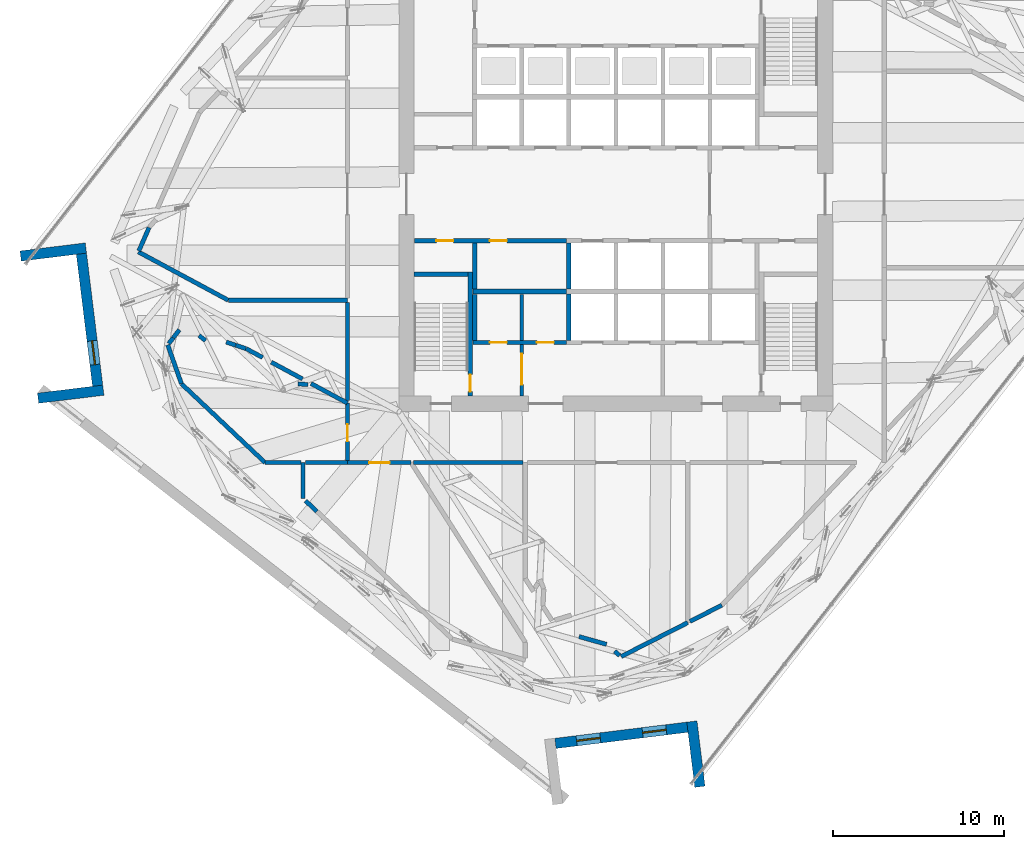
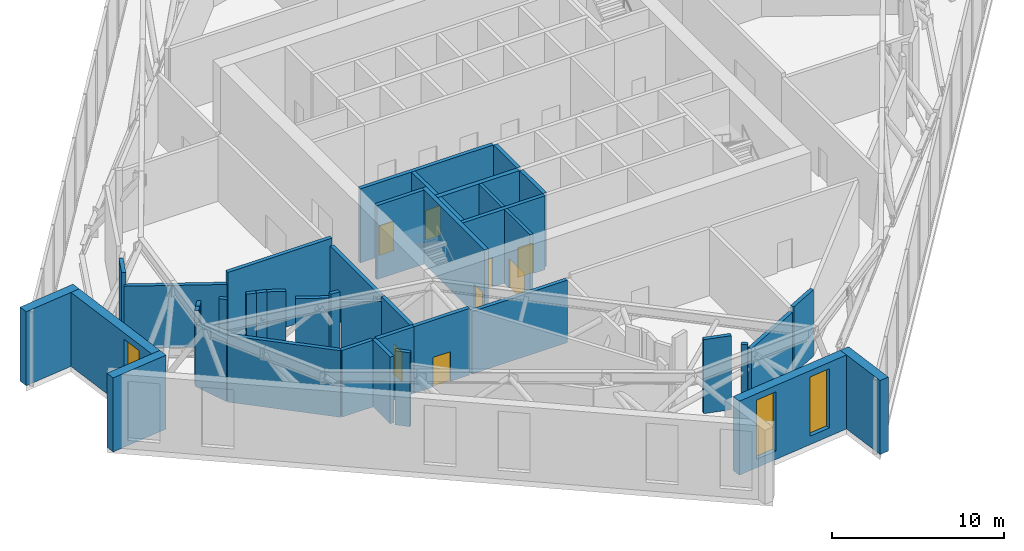
# One storey, part 12 of 23: 42 walls, 8 doors, 3 windows, 11 openings.
"""IFC4 building model written with IfcOpenShell, lengths in metres."""

from ifc_helpers import new_model, si_unit, direction, frame, frame_2d, origin, place, context, subcontext, project, spatial, rectangle, extrude, material, layer, layer_set, type_object, element, fill, save


model = new_model("IFC4")

# Units and contexts
model_context = context("Model", 3, precision=1e-05, world=origin(), true_north=direction((0.0, 1.0)))
body_context = subcontext(model_context, "Body", "Model", "MODEL_VIEW")
ifc_project = project(units=[si_unit("LENGTHUNIT", "METRE"), si_unit("AREAUNIT", "SQUARE_METRE"), si_unit("VOLUMEUNIT", "CUBIC_METRE"), si_unit("PLANEANGLEUNIT", "RADIAN"), si_unit("MASSUNIT", "GRAM", prefix="KILO")], contexts=[model_context])

# Site, building, storey
site_placement = place(None, origin())
site = spatial("IfcSite", under=ifc_project, at=site_placement, CompositionType="ELEMENT")
building_placement = place(site_placement, origin())
building = spatial("IfcBuilding", under=site, at=building_placement, Name="Dilmun Exchange Tower", CompositionType="ELEMENT")
storey_placement = place(building_placement, frame((0.0, 0.0, 237.300048828125)))
storey = spatial("IfcBuildingStorey", under=building, at=storey_placement, Name="L56", CompositionType="ELEMENT", Elevation=237.300048828125)

# Wall, opening, door
ifc_material_1 = material(Name="Concrete C40/50", Category="concrete")
ifc_layer_1 = layer(ifc_material_1, 0.199951171875)
ifc_layer_set_1 = layer_set([ifc_layer_1], Name="Concrete C40/50")
wall_type_1 = type_object("IfcWallType", Name="Core partition wall 200", PredefinedType="PARTITIONING", material=ifc_layer_set_1)
wall_1_placement = place(storey_placement, frame((-5.5, -11.794921875, 0.0), z_axis=(0.0, 0.0, 1.0), x_axis=(0.0, 1.0, 0.0)))
wall_1 = element("IfcWall", 1, at=wall_1_placement, inside=storey, type_object=wall_type_1, Name="L56 core partition wall 01", PredefinedType="PARTITIONING", context=body_context, shape_type="SweptSolid", body=[
    extrude(rectangle(XDim=2.989990234375, YDim=0.199951171875, at=frame_2d((1.4951171875, 0.0))), origin(), (0.0, 0.0, 1.0), 5.239990234375),
])
opening_1_placement = place(wall_1_placement, frame((0.657470703125, 0.0, 0.0)))
opening_1 = element("IfcOpeningElement", 2, at=opening_1_placement, cuts=wall_1, Name="Opening CD5", PredefinedType="OPENING", context=body_context, shape_type="SweptSolid", body=[
    extrude(rectangle(XDim=1.800048828125, YDim=2.10009765625, at=frame_2d((0.89990234375, 1.050048828125))), frame((0.0, 0.10986328125, 0.0), z_axis=(0.0, -1.0, 0.0), x_axis=(1.0, 0.0, 0.0)), (0.0, 0.0, 1.0), 0.219970703125),
])
ifc_material_2 = material(Name="Fire-rated steel door set", Category="steel")
door_type_1 = type_object("IfcDoorType", Name="Stair exit door 1800x2100", OperationType="SINGLE_SWING_LEFT", PredefinedType="DOOR", material=ifc_material_2)
door_1_placement = place(opening_1_placement, origin())
door_1 = element("IfcDoor", 3, at=door_1_placement, inside=storey, type_object=door_type_1, Name="L56 door Service lobby east", OperationType="SINGLE_SWING_LEFT", OverallHeight=2.10009765625, OverallWidth=1.800048828125, PredefinedType="DOOR", context=body_context, shape_type="SweptSolid", body=[
    extrude(rectangle(XDim=1.800048828125, YDim=2.10009765625, at=frame_2d((0.89990234375, 1.050048828125))), frame((0.0, 0.02490234375, 0.0), z_axis=(0.0, -1.0, 0.0), x_axis=(1.0, 0.0, 0.0)), (0.0, 0.0, 1.0), 0.050048828125),
])
fill(opening_1, door_1)

# Wall
wall_2_placement = place(storey_placement, frame((-5.5, -8.544921875, 0.0), z_axis=(0.0, 0.0, 1.0), x_axis=(0.0, 1.0, 0.0)))
element("IfcWall", 4, at=wall_2_placement, inside=storey, type_object=wall_type_1, Name="L56 core partition wall 05", PredefinedType="PARTITIONING", context=body_context, shape_type="SweptSolid", body=[
    extrude(rectangle(XDim=2.68994140625, YDim=0.199951171875, at=frame_2d((1.344970703125, 0.0))), origin(), (0.0, 0.0, 1.0), 5.239990234375),
])

# Wall, openings, doors
ifc_layer_2 = layer(ifc_material_1, 0.25)
ifc_layer_set_2 = layer_set([ifc_layer_2], Name="Concrete C40/50")
wall_type_2 = type_object("IfcWallType", Name="Core partition wall 250", PredefinedType="PARTITIONING", material=ifc_layer_set_2)
wall_3_placement = place(storey_placement, frame((-8.3701171875, -8.675048828125, 0.0), z_axis=(0.0, 0.0, 1.0), x_axis=(1.0, 0.0, 0.0)))
wall_3 = element("IfcWall", 5, at=wall_3_placement, inside=storey, type_object=wall_type_2, Name="L56 core partition wall 03", PredefinedType="PARTITIONING", context=body_context, shape_type="SweptSolid", body=[
    extrude(rectangle(XDim=5.490234375, YDim=0.25, at=frame_2d((2.7451171875, 0.0))), origin(), (0.0, 0.0, 1.0), 5.239990234375),
])
opening_2_placement = place(wall_3_placement, frame((0.9951171875, 0.0, 0.0)))
opening_2 = element("IfcOpeningElement", 6, at=opening_2_placement, cuts=wall_3, Name="Opening CD4", PredefinedType="OPENING", context=body_context, shape_type="SweptSolid", body=[
    extrude(rectangle(XDim=1.0, YDim=2.10009765625, at=frame_2d((0.5, 1.050048828125))), frame((0.0, 0.135009765625, 0.0), z_axis=(0.0, -1.0, 0.0), x_axis=(1.0, 0.0, 0.0)), (0.0, 0.0, 1.0), 0.27001953125),
])
opening_3_placement = place(wall_3_placement, frame((3.7451171875, 0.0, 0.0)))
opening_3 = element("IfcOpeningElement", 7, at=opening_3_placement, cuts=wall_3, Name="Opening CD4", PredefinedType="OPENING", context=body_context, shape_type="SweptSolid", body=[
    extrude(rectangle(XDim=1.0, YDim=2.10009765625, at=frame_2d((0.5, 1.050048828125))), frame((0.0, 0.135009765625, 0.0), z_axis=(0.0, -1.0, 0.0), x_axis=(1.0, 0.0, 0.0)), (0.0, 0.0, 1.0), 0.27001953125),
])
door_type_2 = type_object("IfcDoorType", Name="Core room door 1000x2100", OperationType="SINGLE_SWING_LEFT", PredefinedType="DOOR", material=ifc_material_2)
door_2_placement = place(opening_2_placement, origin())
door_2 = element("IfcDoor", 8, at=door_2_placement, inside=storey, type_object=door_type_2, Name="L56 door Male WC", OperationType="SINGLE_SWING_LEFT", OverallHeight=2.10009765625, OverallWidth=1.0, PredefinedType="DOOR", context=body_context, shape_type="SweptSolid", body=[
    extrude(rectangle(XDim=1.0, YDim=2.10009765625, at=frame_2d((0.5, 1.050048828125))), frame((0.0, 0.02490234375, 0.0), z_axis=(0.0, -1.0, 0.0), x_axis=(1.0, 0.0, 0.0)), (0.0, 0.0, 1.0), 0.050048828125),
])
fill(opening_2, door_2)
door_3_placement = place(opening_3_placement, origin())
door_3 = element("IfcDoor", 9, at=door_3_placement, inside=storey, type_object=door_type_2, Name="L56 door Female WC", OperationType="SINGLE_SWING_LEFT", OverallHeight=2.10009765625, OverallWidth=1.0, PredefinedType="DOOR", context=body_context, shape_type="SweptSolid", body=[
    extrude(rectangle(XDim=1.0, YDim=2.10009765625, at=frame_2d((0.5, 1.050048828125))), frame((0.0, 0.02490234375, 0.0), z_axis=(0.0, -1.0, 0.0), x_axis=(1.0, 0.0, 0.0)), (0.0, 0.0, 1.0), 0.050048828125),
])
fill(opening_3, door_3)

# Walls
for number, where, z_axis, x_axis, name in (
    (10, (-8.25, -8.544921875, 0.0), (0.0, 0.0, 1.0), (0.0, 1.0, 0.0), "L56 core partition wall 04"),
    (11, (-8.25, -5.544921875, 0.0), (0.0, 0.0, 1.0), (0.0, 1.0, 0.0), "L56 core partition wall 07"),
):
    element("IfcWall", number, at=place(storey_placement, frame(where, z_axis=z_axis, x_axis=x_axis)), inside=storey, type_object=wall_type_2, Name=name, PredefinedType="PARTITIONING", context=body_context, shape_type="SweptSolid", body=[
        extrude(rectangle(XDim=2.68994140625, YDim=0.25, at=frame_2d((1.344970703125, 0.0))), origin(), (0.0, 0.0, 1.0), 5.239990234375),
    ])

# Wall, openings, doors
wall_4_placement = place(storey_placement, frame((-11.794921875, -2.72509765625, 0.0), z_axis=(0.0, 0.0, 1.0), x_axis=(1.0, 0.0, 0.0)))
wall_4 = element("IfcWall", 12, at=wall_4_placement, inside=storey, type_object=wall_type_2, Name="L56 core partition wall 09", PredefinedType="PARTITIONING", context=body_context, shape_type="SweptSolid", body=[
    extrude(rectangle(XDim=8.9150390625, YDim=0.25, at=frame_2d((4.45751953125, 0.0))), origin(), (0.0, 0.0, 1.0), 5.239990234375),
])
opening_4_placement = place(wall_4_placement, frame((1.294921875, 0.0, 0.0)))
opening_4 = element("IfcOpeningElement", 13, at=opening_4_placement, cuts=wall_4, Name="Opening CD4", PredefinedType="OPENING", context=body_context, shape_type="SweptSolid", body=[
    extrude(rectangle(XDim=1.0, YDim=2.10009765625, at=frame_2d((0.5, 1.050048828125))), frame((0.0, 0.135009765625, 0.0), z_axis=(0.0, -1.0, 0.0), x_axis=(1.0, 0.0, 0.0)), (0.0, 0.0, 1.0), 0.27001953125),
])
opening_5_placement = place(wall_4_placement, frame((4.419921875, 0.0, 0.0)))
opening_5 = element("IfcOpeningElement", 14, at=opening_5_placement, cuts=wall_4, Name="Opening CD4", PredefinedType="OPENING", context=body_context, shape_type="SweptSolid", body=[
    extrude(rectangle(XDim=1.0, YDim=2.10009765625, at=frame_2d((0.5, 1.050048828125))), frame((0.0, 0.135009765625, 0.0), z_axis=(0.0, -1.0, 0.0), x_axis=(1.0, 0.0, 0.0)), (0.0, 0.0, 1.0), 0.27001953125),
])
door_4_placement = place(opening_4_placement, origin())
door_4 = element("IfcDoor", 15, at=door_4_placement, inside=storey, type_object=door_type_2, Name="L56 door Accessible WC", OperationType="SINGLE_SWING_LEFT", OverallHeight=2.10009765625, OverallWidth=1.0, PredefinedType="DOOR", context=body_context, shape_type="SweptSolid", body=[
    extrude(rectangle(XDim=1.0, YDim=2.10009765625, at=frame_2d((0.5, 1.050048828125))), frame((0.0, 0.02490234375, 0.0), z_axis=(0.0, -1.0, 0.0), x_axis=(1.0, 0.0, 0.0)), (0.0, 0.0, 1.0), 0.050048828125),
])
fill(opening_4, door_4)
door_5_placement = place(opening_5_placement, origin())
door_5 = element("IfcDoor", 16, at=door_5_placement, inside=storey, type_object=door_type_2, Name="L56 door Switch room", OperationType="SINGLE_SWING_LEFT", OverallHeight=2.10009765625, OverallWidth=1.0, PredefinedType="DOOR", context=body_context, shape_type="SweptSolid", body=[
    extrude(rectangle(XDim=1.0, YDim=2.10009765625, at=frame_2d((0.5, 1.050048828125))), frame((0.0, 0.02490234375, 0.0), z_axis=(0.0, -1.0, 0.0), x_axis=(1.0, 0.0, 0.0)), (0.0, 0.0, 1.0), 0.050048828125),
])
fill(opening_5, door_5)

# Walls
ifc_layer_3 = layer(ifc_material_1, 0.300048828125)
ifc_layer_set_3 = layer_set([ifc_layer_3], Name="Concrete C40/50")
wall_type_3 = type_object("IfcWallType", Name="Core partition wall 300", PredefinedType="PARTITIONING", material=ifc_layer_set_3)
wall_5_placement = place(storey_placement, frame((-8.35009765625, -5.699951171875, 0.0), z_axis=(0.0, 0.0, 1.0), x_axis=(1.0, 0.0, 0.0)))
element("IfcWall", 17, at=wall_5_placement, inside=storey, type_object=wall_type_3, Name="L56 core partition wall 06", PredefinedType="PARTITIONING", context=body_context, shape_type="SweptSolid", body=[
    extrude(rectangle(XDim=5.47021484375, YDim=0.300048828125, at=frame_2d((2.735107421875, 0.0))), origin(), (0.0, 0.0, 1.0), 5.239990234375),
])
ifc_layer_4 = layer(ifc_material_1, 0.25)
ifc_layer_set_4 = layer_set([ifc_layer_4], Name="Concrete C40/50")
wall_type_4 = type_object("IfcWallType", Name="Lift shaft wall 250", PredefinedType="SOLIDWALL", material=ifc_layer_set_4)
for number, where, z_axis, x_axis, name in (
    (18, (-2.75, -5.550048828125, 0.0), (0.0, 0.0, 1.0), (0.0, 1.0, 0.0), "L56 lift shaft divider S12"),
    (19, (-2.75, -8.550048828125, 0.0), (0.0, 0.0, 1.0), (0.0, 1.0, 0.0), "L56 lift shaft divider S22"),
):
    element("IfcWall", number, at=place(storey_placement, frame(where, z_axis=z_axis, x_axis=x_axis)), inside=storey, type_object=wall_type_4, Name=name, PredefinedType="SOLIDWALL", context=body_context, shape_type="SweptSolid", body=[
        extrude(rectangle(XDim=2.699951171875, YDim=0.25, at=frame_2d((1.35009765625, 0.0))), origin(), (0.0, 0.0, 1.0), 5.239990234375),
    ])
ifc_material_3 = material(Name="Concrete C32/40", Category="concrete")
ifc_layer_5 = layer(ifc_material_3, 0.25)
ifc_layer_set_5 = layer_set([ifc_layer_5], Name="Concrete C32/40")
wall_type_5 = type_object("IfcWallType", Name="Plant room wall 250", PredefinedType="PARTITIONING", material=ifc_layer_set_5)
wall_6_placement = place(storey_placement, frame((-0.072998046875, -26.73388671875, 0.0), z_axis=(0.0, 0.0, 1.0), x_axis=(0.757056145417, -0.653349824127, 0.0)))
element("IfcWall", 20, at=wall_6_placement, inside=storey, type_object=wall_type_5, Name="L56 plant room wall 02", PredefinedType="PARTITIONING", context=body_context, shape_type="SweptSolid", body=[
    extrude(rectangle(XDim=0.376708984375, YDim=0.25, at=frame_2d((0.1884765625, 0.0))), origin(), (0.0, 0.0, 1.0), 4.719970703125),
])
wall_7_placement = place(storey_placement, frame((-2.154052734375, -25.877685546875, 0.0), z_axis=(0.0, 0.0, 1.0), x_axis=(0.962293576078, -0.272013002336, 0.0)))
element("IfcWall", 21, at=wall_7_placement, inside=storey, type_object=wall_type_5, Name="L56 plant room wall 03", PredefinedType="PARTITIONING", context=body_context, shape_type="SweptSolid", body=[
    extrude(rectangle(XDim=1.667724609375, YDim=0.25, at=frame_2d((0.833984375, 0.0))), origin(), (0.0, 0.0, 1.0), 5.239990234375),
])
wall_8_placement = place(storey_placement, frame((0.307373046875, -27.0458984375, 0.0), z_axis=(0.0, 0.0, 1.0), x_axis=(0.890732328473, 0.454528237861, 0.0)))
element("IfcWall", 22, at=wall_8_placement, inside=storey, type_object=wall_type_5, Name="L56 plant room wall 06", PredefinedType="PARTITIONING", context=body_context, shape_type="SweptSolid", body=[
    extrude(rectangle(XDim=4.3701171875, YDim=0.25, at=frame_2d((2.18505859375, 0.0))), origin(), (0.0, 0.0, 1.0), 4.419921875),
])
wall_9_placement = place(storey_placement, frame((4.330078125, -24.9931640625, 0.0), z_axis=(0.0, 0.0, 1.0), x_axis=(0.890721506587, 0.45454944473, 0.0)))
element("IfcWall", 23, at=wall_9_placement, inside=storey, type_object=wall_type_5, Name="L56 plant room wall 11", PredefinedType="PARTITIONING", context=body_context, shape_type="SweptSolid", body=[
    extrude(rectangle(XDim=2.09912109375, YDim=0.25, at=frame_2d((1.049560546875, 0.0))), origin(), (0.0, 0.0, 1.0), 4.719970703125),
])
wall_10_placement = place(storey_placement, frame((-18.15869140625, -17.92626953125, 0.0), z_axis=(0.0, 0.0, 1.0), x_axis=(0.72767336617, -0.685923809302, 0.0)))
element("IfcWall", 24, at=wall_10_placement, inside=storey, type_object=wall_type_5, Name="L56 plant room wall 16", PredefinedType="PARTITIONING", context=body_context, shape_type="SweptSolid", body=[
    extrude(rectangle(XDim=0.912353515625, YDim=0.25, at=frame_2d((0.4560546875, 0.0))), origin(), (0.0, 0.0, 1.0), 5.239990234375),
])
wall_11_placement = place(storey_placement, frame((-18.300048828125, -17.79296875, 0.0), z_axis=(0.0, 0.0, 1.0), x_axis=(0.0, 1.0, 0.0)))
element("IfcWall", 25, at=wall_11_placement, inside=storey, type_object=wall_type_5, Name="L56 plant room wall 17", PredefinedType="PARTITIONING", context=body_context, shape_type="SweptSolid", body=[
    extrude(rectangle(XDim=2.093017578125, YDim=0.25, at=frame_2d((1.04638671875, 0.0))), origin(), (0.0, 0.0, 1.0), 4.719970703125),
])
wall_12_placement = place(storey_placement, frame((-25.412841796875, -11.08837890625, 0.0), z_axis=(0.0, 0.0, 1.0), x_axis=(0.727678472321, -0.685918392318, 0.0)))
element("IfcWall", 26, at=wall_12_placement, inside=storey, type_object=wall_type_5, Name="L56 plant room wall 18", PredefinedType="PARTITIONING", context=body_context, shape_type="SweptSolid", body=[
    extrude(rectangle(XDim=6.72314453125, YDim=0.25, at=frame_2d((3.361572265625, 0.0))), origin(), (0.0, 0.0, 1.0), 4.719970703125),
])
wall_13_placement = place(storey_placement, frame((-20.513671875, -15.699951171875, 0.0), z_axis=(0.0, 0.0, 1.0), x_axis=(1.0, 0.0, 0.0)))
element("IfcWall", 27, at=wall_13_placement, inside=storey, type_object=wall_type_5, Name="L56 plant room wall 19", PredefinedType="PARTITIONING", context=body_context, shape_type="SweptSolid", body=[
    extrude(rectangle(XDim=2.083740234375, YDim=0.25, at=frame_2d((1.0419921875, 0.0))), origin(), (0.0, 0.0, 1.0), 4.719970703125),
])
wall_14_placement = place(storey_placement, frame((-18.169921875, -15.699951171875, 0.0), z_axis=(0.0, 0.0, 1.0), x_axis=(1.0, 0.0, 0.0)))
element("IfcWall", 28, at=wall_14_placement, inside=storey, type_object=wall_type_5, Name="L56 plant room wall 20", PredefinedType="PARTITIONING", context=body_context, shape_type="SweptSolid", body=[
    extrude(rectangle(XDim=2.469970703125, YDim=0.25, at=frame_2d((1.23486328125, 0.0))), origin(), (0.0, 0.0, 1.0), 4.719970703125),
])

# Wall, opening, door
wall_15_placement = place(storey_placement, frame((-15.695068359375, -15.699951171875, 0.0), z_axis=(0.0, 0.0, 1.0), x_axis=(1.0, 0.0, 0.0)))
wall_15 = element("IfcWall", 29, at=wall_15_placement, inside=storey, type_object=wall_type_5, Name="L56 plant room wall 21", PredefinedType="PARTITIONING", context=body_context, shape_type="SweptSolid", body=[
    extrude(rectangle(XDim=3.71630859375, YDim=0.25, at=frame_2d((1.858154296875, 0.0))), origin(), (0.0, 0.0, 1.0), 4.719970703125),
])
opening_6_placement = place(wall_15_placement, frame((1.25732421875, 0.0, 0.0)))
opening_6 = element("IfcOpeningElement", 30, at=opening_6_placement, cuts=wall_15, Name="Opening PD2", PredefinedType="OPENING", context=body_context, shape_type="SweptSolid", body=[
    extrude(rectangle(XDim=1.199951171875, YDim=2.10009765625, at=frame_2d((0.60009765625, 1.050048828125))), frame((0.0, 0.135009765625, 0.0), z_axis=(0.0, -1.0, 0.0), x_axis=(1.0, 0.0, 0.0)), (0.0, 0.0, 1.0), 0.27001953125),
])
door_type_3 = type_object("IfcDoorType", Name="Plant room door 1200x2100", OperationType="SINGLE_SWING_LEFT", PredefinedType="DOOR", material=ifc_material_2)
door_6_placement = place(opening_6_placement, origin())
door_6 = element("IfcDoor", 31, at=door_6_placement, inside=storey, type_object=door_type_3, Name="L56 door Mechanical pump room", OperationType="SINGLE_SWING_RIGHT", OverallHeight=2.10009765625, OverallWidth=1.199951171875, PredefinedType="DOOR", context=body_context, shape_type="SweptSolid", body=[
    extrude(rectangle(XDim=1.199951171875, YDim=2.10009765625, at=frame_2d((0.60009765625, 1.050048828125))), frame((0.0, 0.02490234375, 0.0), z_axis=(0.0, -1.0, 0.0), x_axis=(1.0, 0.0, 0.0)), (0.0, 0.0, 1.0), 0.050048828125),
])
fill(opening_6, door_6)

# Wall
wall_16_placement = place(storey_placement, frame((-11.82470703125, -15.699951171875, 0.0), z_axis=(0.0, 0.0, 1.0), x_axis=(1.0, 0.0, 0.0)))
element("IfcWall", 32, at=wall_16_placement, inside=storey, type_object=wall_type_5, Name="L56 plant room wall 23", PredefinedType="PARTITIONING", context=body_context, shape_type="SweptSolid", body=[
    extrude(rectangle(XDim=6.394775390625, YDim=0.25, at=frame_2d((3.197265625, 0.0))), origin(), (0.0, 0.0, 1.0), 4.419921875),
])

# Wall, opening, door
wall_17_placement = place(storey_placement, frame((-15.699951171875, -15.570068359375, 0.0), z_axis=(0.0, 0.0, 1.0), x_axis=(0.0, 1.0, 0.0)))
wall_17 = element("IfcWall", 33, at=wall_17_placement, inside=storey, type_object=wall_type_5, Name="L56 plant room wall 28", PredefinedType="PARTITIONING", context=body_context, shape_type="SweptSolid", body=[
    extrude(rectangle(XDim=3.34765625, YDim=0.25, at=frame_2d((1.673828125, 0.0))), origin(), (0.0, 0.0, 1.0), 4.719970703125),
])
opening_7_placement = place(wall_17_placement, frame((1.110107421875, 0.0, 0.0)))
opening_7 = element("IfcOpeningElement", 34, at=opening_7_placement, cuts=wall_17, Name="Opening PD1", PredefinedType="OPENING", context=body_context, shape_type="SweptSolid", body=[
    extrude(rectangle(XDim=1.0, YDim=2.10009765625, at=frame_2d((0.5, 1.050048828125))), frame((0.0, 0.135009765625, 0.0), z_axis=(0.0, -1.0, 0.0), x_axis=(1.0, 0.0, 0.0)), (0.0, 0.0, 1.0), 0.27001953125),
])
door_type_4 = type_object("IfcDoorType", Name="Plant room door 1000x2100", OperationType="SINGLE_SWING_LEFT", PredefinedType="DOOR", material=ifc_material_2)
door_7_placement = place(opening_7_placement, origin())
door_7 = element("IfcDoor", 35, at=door_7_placement, inside=storey, type_object=door_type_4, Name="L56 door Mechanical valve room", OperationType="SINGLE_SWING_LEFT", OverallHeight=2.10009765625, OverallWidth=1.0, PredefinedType="DOOR", context=body_context, shape_type="SweptSolid", body=[
    extrude(rectangle(XDim=1.0, YDim=2.10009765625, at=frame_2d((0.5, 1.050048828125))), frame((0.0, 0.02490234375, 0.0), z_axis=(0.0, -1.0, 0.0), x_axis=(1.0, 0.0, 0.0)), (0.0, 0.0, 1.0), 0.050048828125),
])
fill(opening_7, door_7)

# Walls
wall_18_placement = place(storey_placement, frame((-18.59326171875, -11.093994140625, 0.0), z_axis=(0.0, 0.0, 1.0), x_axis=(0.997234429152, -0.074320207983, 0.0)))
element("IfcWall", 36, at=wall_18_placement, inside=storey, type_object=wall_type_5, Name="L56 plant room wall 29", PredefinedType="PARTITIONING", context=body_context, shape_type="SweptSolid", body=[
    extrude(rectangle(XDim=0.58154296875, YDim=0.25, at=frame_2d((0.290771484375, 0.0))), origin(), (0.0, 0.0, 1.0), 5.239990234375),
])
wall_19_placement = place(storey_placement, frame((-26.216796875, -8.8154296875, 0.0), z_axis=(0.0, 0.0, 1.0), x_axis=(0.333409345275, -0.942782163855, 0.0)))
element("IfcWall", 37, at=wall_19_placement, inside=storey, type_object=wall_type_5, Name="L56 plant room wall 30", PredefinedType="PARTITIONING", context=body_context, shape_type="SweptSolid", body=[
    extrude(rectangle(XDim=2.405517578125, YDim=0.25, at=frame_2d((1.20263671875, 0.0))), origin(), (0.0, 0.0, 1.0), 4.419921875),
])
wall_20_placement = place(storey_placement, frame((-17.8330078125, -11.07568359375, 0.0), z_axis=(0.0, 0.0, 1.0), x_axis=(0.880812256997, -0.473465698783, 0.0)))
element("IfcWall", 38, at=wall_20_placement, inside=storey, type_object=wall_type_5, Name="L56 plant room wall 31", PredefinedType="PARTITIONING", context=body_context, shape_type="SweptSolid", body=[
    extrude(rectangle(XDim=2.4111328125, YDim=0.25, at=frame_2d((1.20556640625, 0.0))), origin(), (0.0, 0.0, 1.0), 4.419921875),
])
wall_21_placement = place(storey_placement, frame((-20.156494140625, -9.826416015625, 0.0), z_axis=(0.0, 0.0, 1.0), x_axis=(0.880780830304, -0.473524158802, 0.0)))
element("IfcWall", 39, at=wall_21_placement, inside=storey, type_object=wall_type_5, Name="L56 plant room wall 32", PredefinedType="PARTITIONING", context=body_context, shape_type="SweptSolid", body=[
    extrude(rectangle(XDim=2.07421875, YDim=0.25, at=frame_2d((1.037109375, 0.0))), origin(), (0.0, 0.0, 1.0), 4.719970703125),
])
wall_22_placement = place(storey_placement, frame((-21.634033203125, -9.031982421875, 0.0), z_axis=(0.0, 0.0, 1.0), x_axis=(0.880812831363, -0.473464630259, 0.0)))
element("IfcWall", 40, at=wall_22_placement, inside=storey, type_object=wall_type_5, Name="L56 plant room wall 33", PredefinedType="PARTITIONING", context=body_context, shape_type="SweptSolid", body=[
    extrude(rectangle(XDim=1.100341796875, YDim=0.25, at=frame_2d((0.55029296875, 0.0))), origin(), (0.0, 0.0, 1.0), 5.239990234375),
])
wall_23_placement = place(storey_placement, frame((-22.2294921875, -8.834716796875, 0.0), z_axis=(0.0, 0.0, 1.0), x_axis=(0.949192171176, -0.314697032362, 0.0)))
element("IfcWall", 41, at=wall_23_placement, inside=storey, type_object=wall_type_5, Name="L56 plant room wall 34", PredefinedType="PARTITIONING", context=body_context, shape_type="SweptSolid", body=[
    extrude(rectangle(XDim=0.6220703125, YDim=0.25, at=frame_2d((0.31103515625, 0.0))), origin(), (0.0, 0.0, 1.0), 5.239990234375),
])
wall_24_placement = place(storey_placement, frame((-26.156005859375, -8.737060546875, 0.0), z_axis=(0.0, 0.0, 1.0), x_axis=(0.61261688372, 0.790380005934, 0.0)))
element("IfcWall", 42, at=wall_24_placement, inside=storey, type_object=wall_type_5, Name="L56 plant room wall 35", PredefinedType="PARTITIONING", context=body_context, shape_type="SweptSolid", body=[
    extrude(rectangle(XDim=0.421630859375, YDim=0.25, at=frame_2d((0.2109375, 0.0))), origin(), (0.0, 0.0, 1.0), 5.239990234375),
])
wall_25_placement = place(storey_placement, frame((-22.794189453125, -8.647705078125, 0.0), z_axis=(0.0, 0.0, 1.0), x_axis=(0.949269442188, -0.314463870942, 0.0)))
element("IfcWall", 43, at=wall_25_placement, inside=storey, type_object=wall_type_5, Name="L56 plant room wall 36", PredefinedType="PARTITIONING", context=body_context, shape_type="SweptSolid", body=[
    extrude(rectangle(XDim=0.58154296875, YDim=0.25, at=frame_2d((0.290771484375, 0.0))), origin(), (0.0, 0.0, 1.0), 5.239990234375),
])
wall_26_placement = place(storey_placement, frame((-25.889404296875, -8.392822265625, 0.0), z_axis=(0.0, 0.0, 1.0), x_axis=(0.612689720082, 0.790323545712, 0.0)))
element("IfcWall", 44, at=wall_26_placement, inside=storey, type_object=wall_type_5, Name="L56 plant room wall 37", PredefinedType="PARTITIONING", context=body_context, shape_type="SweptSolid", body=[
    extrude(rectangle(XDim=0.581298828125, YDim=0.25, at=frame_2d((0.29052734375, 0.0))), origin(), (0.0, 0.0, 1.0), 5.239990234375),
])
wall_27_placement = place(storey_placement, frame((-24.38525390625, -8.266357421875, 0.0), z_axis=(0.0, 0.0, 1.0), x_axis=(0.783912744573, -0.620871008258, 0.0)))
element("IfcWall", 45, at=wall_27_placement, inside=storey, type_object=wall_type_5, Name="L56 plant room wall 38", PredefinedType="PARTITIONING", context=body_context, shape_type="SweptSolid", body=[
    extrude(rectangle(XDim=0.483642578125, YDim=0.25, at=frame_2d((0.24169921875, 0.0))), origin(), (0.0, 0.0, 1.0), 5.239990234375),
])
wall_28_placement = place(storey_placement, frame((-27.930908203125, -3.375732421875, 0.0), z_axis=(0.0, 0.0, 1.0), x_axis=(0.880770617751, -0.473543154218, 0.0)))
element("IfcWall", 46, at=wall_28_placement, inside=storey, type_object=wall_type_5, Name="L56 plant room wall 41", PredefinedType="PARTITIONING", context=body_context, shape_type="SweptSolid", body=[
    extrude(rectangle(XDim=5.964111328125, YDim=0.25, at=frame_2d((2.98193359375, 0.0))), origin(), (0.0, 0.0, 1.0), 4.406005859375),
])
wall_29_placement = place(storey_placement, frame((-22.67236328125, -6.199951171875, 0.0), z_axis=(0.0, 0.0, 1.0), x_axis=(1.0, 0.0, 0.0)))
element("IfcWall", 47, at=wall_29_placement, inside=storey, type_object=wall_type_5, Name="L56 plant room wall 42", PredefinedType="PARTITIONING", context=body_context, shape_type="SweptSolid", body=[
    extrude(rectangle(XDim=6.972412109375, YDim=0.25, at=frame_2d((3.486328125, 0.0))), origin(), (0.0, 0.0, 1.0), 5.239990234375),
])
wall_30_placement = place(storey_placement, frame((-15.699951171875, -12.07470703125, 0.0), z_axis=(0.0, 0.0, 1.0), x_axis=(0.0, 1.0, 0.0)))
element("IfcWall", 48, at=wall_30_placement, inside=storey, type_object=wall_type_5, Name="L56 plant room wall 43", PredefinedType="PARTITIONING", context=body_context, shape_type="SweptSolid", body=[
    extrude(rectangle(XDim=5.74462890625, YDim=0.25, at=frame_2d((2.872314453125, 0.0))), origin(), (0.0, 0.0, 1.0), 4.719970703125),
])
wall_31_placement = place(storey_placement, frame((-27.906005859375, -3.318603515625, 0.0), z_axis=(0.0, 0.0, 1.0), x_axis=(0.401154480985, 0.91601041609, 0.0)))
element("IfcWall", 49, at=wall_31_placement, inside=storey, type_object=wall_type_5, Name="L56 plant room wall 48", PredefinedType="PARTITIONING", context=body_context, shape_type="SweptSolid", body=[
    extrude(rectangle(XDim=1.488037109375, YDim=0.25, at=frame_2d((0.744140625, 0.0))), origin(), (0.0, 0.0, 1.0), 5.239990234375),
])
ifc_material_4 = material(Name="Precast concrete C50/60", Category="concrete")
ifc_layer_6 = layer(ifc_material_4, 0.60009765625)
ifc_layer_set_6 = layer_set([ifc_layer_6], Name="Precast concrete C50/60")
wall_type_6 = type_object("IfcWallType", Name="Precast stone-clad wall 600", PredefinedType="STANDARD", material=ifc_layer_set_6)
wall_32_placement = place(storey_placement, frame((-34.820556640625, -3.616943359375, 0.0), z_axis=(0.0, 0.0, 1.0), x_axis=(0.992546957467, 0.1218627803, 0.0)))
element("IfcWall", 50, at=wall_32_placement, inside=storey, type_object=wall_type_6, Name="Facade wall L56-04", PredefinedType="STANDARD", context=body_context, shape_type="SweptSolid", body=[
    extrude(rectangle(XDim=3.846435546875, YDim=0.60009765625, at=frame_2d((1.92333984375, 0.0))), origin(), (0.0, 0.0, 1.0), 5.239990234375),
])

# Wall, opening, window
wall_33_placement = place(storey_placement, frame((-31.263916015625, -3.482421875, 0.0), z_axis=(0.0, 0.0, 1.0), x_axis=(0.121878824437, -0.992544987471, 0.0)))
wall_33 = element("IfcWall", 51, at=wall_33_placement, inside=storey, type_object=wall_type_6, Name="Facade wall L56-05", PredefinedType="STANDARD", context=body_context, shape_type="SweptSolid", body=[
    extrude(rectangle(XDim=7.7783203125, YDim=0.60009765625, at=frame_2d((3.88916015625, 0.0))), origin(), (0.0, 0.0, 1.0), 5.239990234375),
])
opening_8_placement = place(wall_33_placement, frame((5.133544921875, 0.0, 0.60009765625)))
opening_8 = element("IfcOpeningElement", 52, at=opening_8_placement, cuts=wall_33, Name="Opening LV140-419", PredefinedType="OPENING", context=body_context, shape_type="SweptSolid", body=[
    extrude(rectangle(XDim=1.39990234375, YDim=4.18994140625, at=frame_2d((0.699951171875, 2.094970703125))), frame((0.0, 0.31005859375, 0.0), z_axis=(0.0, -1.0, 0.0), x_axis=(1.0, 0.0, 0.0)), (0.0, 0.0, 1.0), 0.6201171875),
])
ifc_material_5 = material(Name="Anodised aluminium louvre blades with sand trap", Category="aluminium")
window_type = type_object("IfcWindowType", Name="Plant louvre 1400 x 4190", PartitioningType="SINGLE_PANEL", PredefinedType="USERDEFINED", material=ifc_material_5)
window_1_placement = place(opening_8_placement, origin())
window_1 = element("IfcWindow", 53, at=window_1_placement, inside=storey, type_object=window_type, Name="Plant louvre 6.2", ObjectType="LOUVRE", OverallHeight=4.18994140625, OverallWidth=1.39990234375, PartitioningType="SINGLE_PANEL", PredefinedType="USERDEFINED", context=body_context, shape_type="SweptSolid", body=[
    extrude(rectangle(XDim=1.39990234375, YDim=4.18994140625, at=frame_2d((0.699951171875, 2.094970703125))), frame((0.0, 0.030029296875, 0.0), z_axis=(0.0, -1.0, 0.0), x_axis=(1.0, 0.0, 0.0)), (0.0, 0.0, 1.0), 0.06005859375),
])
fill(opening_8, window_1)

# Wall
wall_34_placement = place(storey_placement, frame((-29.981689453125, -11.4638671875, 0.0), z_axis=(0.0, 0.0, 1.0), x_axis=(-0.992546957467, -0.1218627803, 0.0)))
element("IfcWall", 54, at=wall_34_placement, inside=storey, type_object=wall_type_6, Name="Facade wall L56-06", PredefinedType="STANDARD", context=body_context, shape_type="SweptSolid", body=[
    extrude(rectangle(XDim=3.846435546875, YDim=0.60009765625, at=frame_2d((1.92333984375, 0.0))), origin(), (0.0, 0.0, 1.0), 5.239990234375),
])

# Wall, openings, windows
wall_35_placement = place(storey_placement, frame((-3.535888671875, -32.125732421875, 0.0), z_axis=(0.0, 0.0, 1.0), x_axis=(0.992544987471, 0.121878824437, 0.0)))
wall_35 = element("IfcWall", 55, at=wall_35_placement, inside=storey, type_object=wall_type_6, Name="Facade wall L56-09", PredefinedType="STANDARD", context=body_context, shape_type="SweptSolid", body=[
    extrude(rectangle(XDim=7.7783203125, YDim=0.60009765625, at=frame_2d((3.88916015625, 0.0))), origin(), (0.0, 0.0, 1.0), 5.239990234375),
])
opening_9_placement = place(wall_35_placement, frame((1.244384765625, 0.0, 0.60009765625)))
opening_9 = element("IfcOpeningElement", 56, at=opening_9_placement, cuts=wall_35, Name="Opening LV140-419", PredefinedType="OPENING", context=body_context, shape_type="SweptSolid", body=[
    extrude(rectangle(XDim=1.39990234375, YDim=4.18994140625, at=frame_2d((0.699951171875, 2.094970703125))), frame((0.0, 0.31005859375, 0.0), z_axis=(0.0, -1.0, 0.0), x_axis=(1.0, 0.0, 0.0)), (0.0, 0.0, 1.0), 0.6201171875),
])
opening_10_placement = place(wall_35_placement, frame((5.133544921875, 0.0, 0.60009765625)))
opening_10 = element("IfcOpeningElement", 57, at=opening_10_placement, cuts=wall_35, Name="Opening LV140-419", PredefinedType="OPENING", context=body_context, shape_type="SweptSolid", body=[
    extrude(rectangle(XDim=1.39990234375, YDim=4.18994140625, at=frame_2d((0.699951171875, 2.094970703125))), frame((0.0, 0.31005859375, 0.0), z_axis=(0.0, -1.0, 0.0), x_axis=(1.0, 0.0, 0.0)), (0.0, 0.0, 1.0), 0.6201171875),
])
window_2_placement = place(opening_9_placement, origin())
window_2 = element("IfcWindow", 58, at=window_2_placement, inside=storey, type_object=window_type, Name="Plant louvre 10.1", ObjectType="LOUVRE", OverallHeight=4.18994140625, OverallWidth=1.39990234375, PartitioningType="SINGLE_PANEL", PredefinedType="USERDEFINED", context=body_context, shape_type="SweptSolid", body=[
    extrude(rectangle(XDim=1.39990234375, YDim=4.18994140625, at=frame_2d((0.699951171875, 2.094970703125))), frame((0.0, 0.030029296875, 0.0), z_axis=(0.0, -1.0, 0.0), x_axis=(1.0, 0.0, 0.0)), (0.0, 0.0, 1.0), 0.06005859375),
])
fill(opening_9, window_2)
window_3_placement = place(opening_10_placement, origin())
window_3 = element("IfcWindow", 59, at=window_3_placement, inside=storey, type_object=window_type, Name="Plant louvre 10.2", ObjectType="LOUVRE", OverallHeight=4.18994140625, OverallWidth=1.39990234375, PartitioningType="SINGLE_PANEL", PredefinedType="USERDEFINED", context=body_context, shape_type="SweptSolid", body=[
    extrude(rectangle(XDim=1.39990234375, YDim=4.18994140625, at=frame_2d((0.699951171875, 2.094970703125))), frame((0.0, 0.030029296875, 0.0), z_axis=(0.0, -1.0, 0.0), x_axis=(1.0, 0.0, 0.0)), (0.0, 0.0, 1.0), 0.06005859375),
])
fill(opening_10, window_3)

# Walls
wall_36_placement = place(storey_placement, frame((4.445556640625, -30.843505859375, 0.0), z_axis=(0.0, 0.0, 1.0), x_axis=(0.121870457788, -0.992546014812, 0.0)))
element("IfcWall", 60, at=wall_36_placement, inside=storey, type_object=wall_type_6, Name="Facade wall L56-10", PredefinedType="STANDARD", context=body_context, shape_type="SweptSolid", body=[
    extrude(rectangle(XDim=3.84619140625, YDim=0.60009765625, at=frame_2d((1.923095703125, 0.0))), origin(), (0.0, 0.0, 1.0), 5.239990234375),
])
ifc_layer_7 = layer(ifc_material_1, 0.25)
ifc_layer_set_7 = layer_set([ifc_layer_7], Name="Concrete C40/50")
wall_type_7 = type_object("IfcWallType", Name="Stair end wall 250", PredefinedType="SOLIDWALL", material=ifc_layer_set_7)
wall_37_placement = place(storey_placement, frame((-8.64990234375, -4.675048828125, 0.0), z_axis=(0.0, 0.0, 1.0), x_axis=(-1.0, 0.0, 0.0)))
element("IfcWall", 61, at=wall_37_placement, inside=storey, type_object=wall_type_7, Name="L56 ST2 far wall", PredefinedType="SOLIDWALL", context=body_context, shape_type="SweptSolid", body=[
    extrude(rectangle(XDim=3.150146484375, YDim=0.25, at=frame_2d((1.5751953125, 0.0))), origin(), (0.0, 0.0, 1.0), 5.239990234375),
])

# Wall, opening, door
ifc_layer_8 = layer(ifc_material_1, 0.27490234375)
ifc_layer_set_8 = layer_set([ifc_layer_8], Name="Concrete C40/50")
wall_type_8 = type_object("IfcWallType", Name="Stair wall 275", PredefinedType="SOLIDWALL", material=ifc_layer_set_8)
wall_38_placement = place(storey_placement, frame((-8.512451171875, -4.550048828125, 0.0), z_axis=(0.0, 0.0, 1.0), x_axis=(0.0, -1.0, 0.0)))
wall_38 = element("IfcWall", 62, at=wall_38_placement, inside=storey, type_object=wall_type_8, Name="L56 ST2 wall to lift block", PredefinedType="SOLIDWALL", context=body_context, shape_type="SweptSolid", body=[
    extrude(rectangle(XDim=7.25, YDim=0.27490234375, at=frame_2d((3.625, 0.0))), origin(), (0.0, 0.0, 1.0), 5.239990234375),
])
opening_11_placement = place(wall_38_placement, frame((6.0, 0.0, 0.0)))
opening_11 = element("IfcOpeningElement", 63, at=opening_11_placement, cuts=wall_38, Name="Opening CD4", PredefinedType="OPENING", context=body_context, shape_type="SweptSolid", body=[
    extrude(rectangle(XDim=1.0, YDim=2.10009765625, at=frame_2d((0.5, 1.050048828125))), frame((0.0, 0.1474609375, 0.0), z_axis=(0.0, -1.0, 0.0), x_axis=(1.0, 0.0, 0.0)), (0.0, 0.0, 1.0), 0.294921875),
])
door_8_placement = place(opening_11_placement, origin())
door_8 = element("IfcDoor", 64, at=door_8_placement, inside=storey, type_object=door_type_2, Name="L56 door ST2 from lobby", OperationType="SINGLE_SWING_LEFT", OverallHeight=2.10009765625, OverallWidth=1.0, PredefinedType="DOOR", context=body_context, shape_type="SweptSolid", body=[
    extrude(rectangle(XDim=1.0, YDim=2.10009765625, at=frame_2d((0.5, 1.050048828125))), frame((0.0, 0.02490234375, 0.0), z_axis=(0.0, -1.0, 0.0), x_axis=(1.0, 0.0, 0.0)), (0.0, 0.0, 1.0), 0.050048828125),
])
fill(opening_11, door_8)

save(model, "model.ifc")
